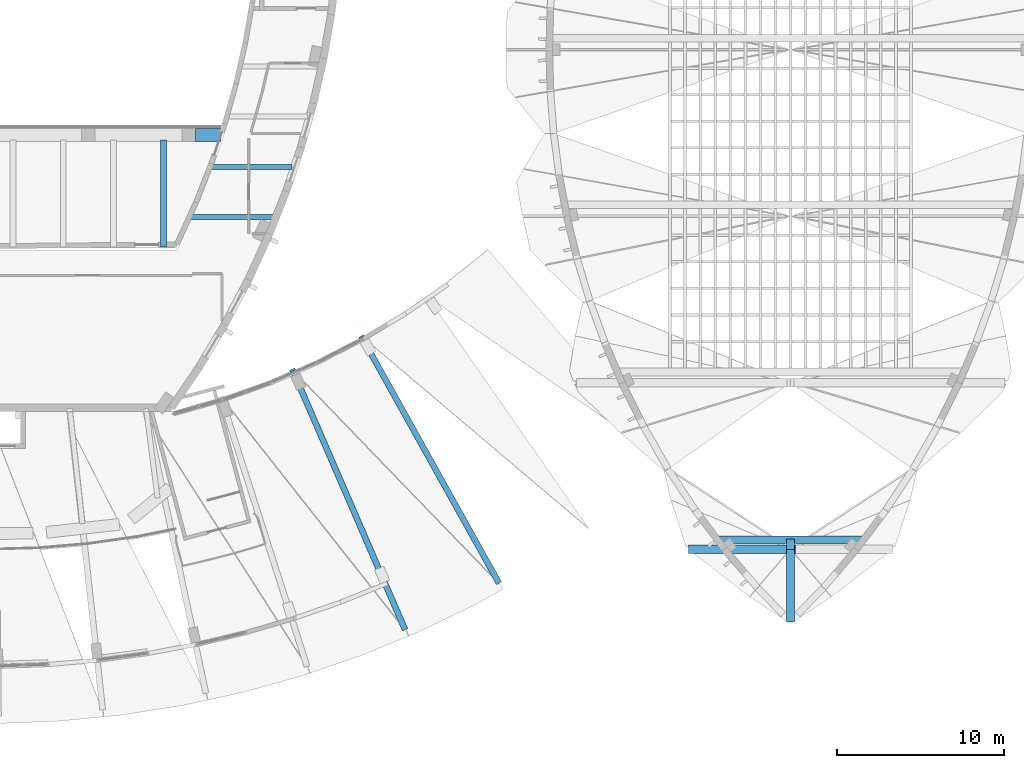
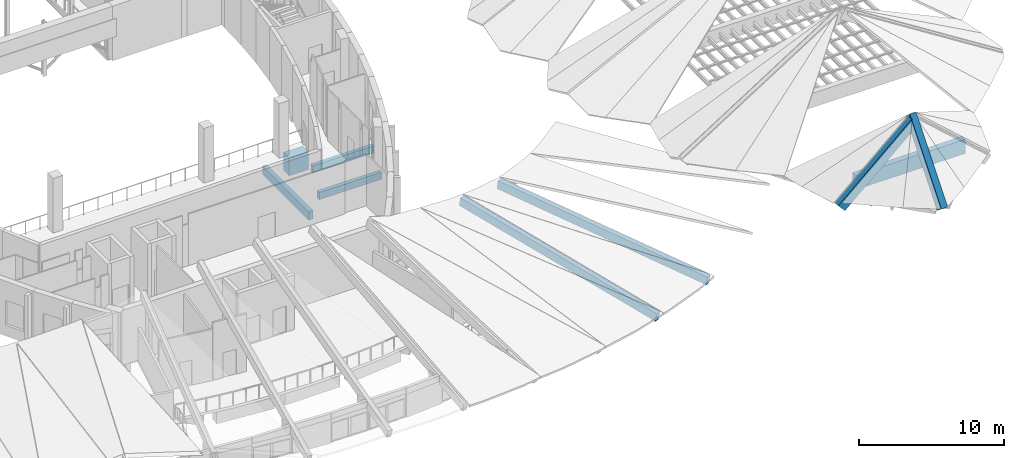
# One storey, part 16 of 56: 9 beams.
"""IFC4 building model written with IfcOpenShell, lengths in metres."""

from ifc_helpers import new_model, si_unit, direction, frame, origin, origin_2d, place, context, subcontext, project, spatial, rectangle, extrude, material, material_profile, profile_set, type_object, element, save


model = new_model("IFC4")

# Units and contexts
model_context = context("Model", 3, precision=1e-05, world=origin(), true_north=direction((0.0, 1.0)))
body_context = subcontext(model_context, "Body", "Model", "MODEL_VIEW")
ifc_project = project(units=[si_unit("LENGTHUNIT", "METRE"), si_unit("AREAUNIT", "SQUARE_METRE"), si_unit("VOLUMEUNIT", "CUBIC_METRE"), si_unit("PLANEANGLEUNIT", "RADIAN"), si_unit("MASSUNIT", "GRAM", prefix="KILO")], contexts=[model_context])

# Site, building, storey
site_placement = place(None, origin())
site = spatial("IfcSite", under=ifc_project, at=site_placement, CompositionType="ELEMENT")
building_placement = place(site_placement, origin())
building = spatial("IfcBuilding", under=site, at=building_placement, Name="Tide Square Theatres", CompositionType="ELEMENT")
storey_placement = place(building_placement, frame((0.0, 0.0, 10.199951171875)))
storey = spatial("IfcBuildingStorey", under=building, at=storey_placement, Name="L02", CompositionType="ELEMENT", Elevation=10.199951171875)

# Beams
ifc_material_1 = material(Name="Concrete C35", Category="concrete")
ifc_material_profile_1 = material_profile(ifc_material_1, rectangle(XDim=0.300048828125, YDim=0.60009765625, at=origin_2d()))
ifc_profile_set_1 = profile_set([ifc_material_profile_1], Name="Concrete C35")
beam_type_1 = type_object("IfcBeamType", Name="RC beam 300 x 600", PredefinedType="BEAM", material=ifc_profile_set_1)
beam_1_placement = place(storey_placement, frame((96.111328125, 35.0, -0.550048828125), z_axis=(1.0, 0.0, 0.0), x_axis=(0.0, 1.0, 0.0)))
element("IfcBeam", 1, at=beam_1_placement, inside=storey, type_object=beam_type_1, Name="Floor beam", PredefinedType="BEAM", context=body_context, shape_type="SweptSolid", body=[
    extrude(rectangle(XDim=0.300048828125, YDim=0.60009765625, at=origin_2d()), origin(), (0.0, 0.0, 1.0), 4.98095703125),
])
beam_2_placement = place(storey_placement, frame((97.345947265625, 38.0, -0.550048828125), z_axis=(1.0, 0.0, 0.0), x_axis=(0.0, 1.0, 0.0)))
element("IfcBeam", 2, at=beam_2_placement, inside=storey, type_object=beam_type_1, Name="Floor beam", PredefinedType="BEAM", context=body_context, shape_type="SweptSolid", body=[
    extrude(rectangle(XDim=0.300048828125, YDim=0.60009765625, at=origin_2d()), origin(), (0.0, 0.0, 1.0), 4.850341796875),
])
ifc_material_2 = material(Name="Concrete C35", Category="concrete")
ifc_material_profile_2 = material_profile(ifc_material_2, rectangle(XDim=0.35009765625, YDim=0.699951171875, at=origin_2d()))
ifc_profile_set_2 = profile_set([ifc_material_profile_2], Name="Concrete C35")
beam_type_2 = type_object("IfcBeamType", Name="RC beam 350 x 700", PredefinedType="BEAM", material=ifc_profile_set_2)
beam_3_placement = place(storey_placement, frame((94.5, 33.199951171875, -0.599853515625), z_axis=(0.0, 1.0, 0.0), x_axis=(-1.0, 0.0, 0.0)))
element("IfcBeam", 3, at=beam_3_placement, inside=storey, type_object=beam_type_2, Name="Tier raker beam", PredefinedType="BEAM", context=body_context, shape_type="SweptSolid", body=[
    extrude(rectangle(XDim=0.35009765625, YDim=0.699951171875, at=origin_2d()), origin(), (0.0, 0.0, 1.0), 6.400146484375),
])
ifc_material_3 = material(Name="Concrete C35", Category="concrete")
ifc_material_profile_3 = material_profile(ifc_material_3, rectangle(XDim=0.800048828125, YDim=1.5, at=origin_2d()))
ifc_profile_set_3 = profile_set([ifc_material_profile_3], Name="Concrete C35")
beam_type_3 = type_object("IfcBeamType", Name="RC circle girder 800 x 1500", PredefinedType="BEAM", material=ifc_profile_set_3)
beam_4_placement = place(storey_placement, frame((96.39990234375, 39.89990234375, -1.0), z_axis=(1.0, 0.0, 0.0), x_axis=(0.0, 1.0, 0.0)))
element("IfcBeam", 4, at=beam_4_placement, inside=storey, type_object=beam_type_3, Name="Circle front girder", PredefinedType="BEAM", context=body_context, shape_type="SweptSolid", body=[
    extrude(rectangle(XDim=0.800048828125, YDim=1.5, at=origin_2d()), origin(), (0.0, 0.0, 1.0), 1.52685546875),
])
ifc_material_4 = material(Name="Concrete C40", Category="concrete")
ifc_material_profile_4 = material_profile(ifc_material_4, rectangle(XDim=0.449951171875, YDim=1.199951171875, at=origin_2d()))
ifc_profile_set_4 = profile_set([ifc_material_profile_4], Name="Concrete C40")
beam_type_4 = type_object("IfcBeamType", Name="RC eaves tie beam 450 x 1200", PredefinedType="BEAM", material=ifc_profile_set_4)
beam_5_placement = place(storey_placement, frame((136.361572265625, 15.684814453125, 1.310546875), z_axis=(-1.0, 0.0, 0.0), x_axis=(0.0, -1.0, 0.0)))
element("IfcBeam", 5, at=beam_5_placement, inside=storey, type_object=beam_type_4, Name="Eaves tie beam blackbox 0", PredefinedType="BEAM", context=body_context, shape_type="SweptSolid", body=[
    extrude(rectangle(XDim=0.449951171875, YDim=1.199951171875, at=origin_2d()), origin(), (0.0, 0.0, 1.0), 8.72314453125),
])
ifc_material_5 = material(Name="Concrete C40", Category="concrete")
ifc_material_profile_5 = material_profile(ifc_material_5, rectangle(XDim=0.35009765625, YDim=0.699951171875, at=origin_2d()))
ifc_profile_set_5 = profile_set([ifc_material_profile_5], Name="Concrete C40")
beam_type_5 = type_object("IfcBeamType", Name="RC foyer roof rib 350 x 700", PredefinedType="BEAM", material=ifc_profile_set_5)
beam_6_placement = place(storey_placement, frame((102.218994140625, 25.849853515625, 2.412109375), z_axis=(0.392415201973, -0.905842705821, -0.159559711619), x_axis=(0.917598724561, 0.397507963044, 0.0)))
element("IfcBeam", 6, at=beam_6_placement, inside=storey, type_object=beam_type_5, Name="Foyer roof rib 11", PredefinedType="BEAM", context=body_context, shape_type="SweptSolid", body=[
    extrude(rectangle(XDim=0.35009765625, YDim=0.699951171875, at=origin_2d()), origin(), (0.0, 0.0, 1.0), 17.09423828125),
])
beam_7_placement = place(storey_placement, frame((106.347900390625, 27.84326171875, 1.18994140625), z_axis=(0.48328325511, -0.866993420344, -0.12148952387), x_axis=(0.873463413791, 0.486889787086, 0.0)))
element("IfcBeam", 7, at=beam_7_placement, inside=storey, type_object=beam_type_5, Name="Foyer roof rib 12", PredefinedType="BEAM", context=body_context, shape_type="SweptSolid", body=[
    extrude(rectangle(XDim=0.35009765625, YDim=0.699951171875, at=origin_2d()), origin(), (0.0, 0.0, 1.0), 16.976806640625),
])
ifc_material_6 = material(Name="Concrete C40", Category="concrete")
ifc_material_profile_6 = material_profile(ifc_material_6, rectangle(XDim=0.5, YDim=0.800048828125, at=origin_2d()))
ifc_profile_set_6 = profile_set([ifc_material_profile_6], Name="Concrete C40")
beam_type_6 = type_object("IfcBeamType", Name="RC roof rib 500 x 800", PredefinedType="BEAM", material=ifc_profile_set_6)
beam_8_placement = place(storey_placement, frame((126.177734375, 15.125, 0.022216796875), z_axis=(0.745301918978, 0.0, 0.666727117769), x_axis=(0.0, 1.0, 0.0)))
element("IfcBeam", 8, at=beam_8_placement, inside=storey, type_object=beam_type_6, Name="Roof rib blackbox L0", PredefinedType="BEAM", context=body_context, shape_type="SweptSolid", body=[
    extrude(rectangle(XDim=0.5, YDim=0.800048828125, at=origin_2d()), origin(), (0.0, 0.0, 1.0), 7.9013671875),
])
ifc_material_7 = material(Name="Concrete C40", Category="concrete")
ifc_material_profile_7 = material_profile(ifc_material_7, rectangle(XDim=0.5, YDim=0.800048828125, at=origin_2d()))
ifc_profile_set_7 = profile_set([ifc_material_profile_7], Name="Concrete C40")
beam_type_7 = type_object("IfcBeamType", Name="RC roof ridge beam 500 x 800", PredefinedType="BEAM", material=ifc_profile_set_7)
beam_9_placement = place(storey_placement, frame((132.0, 15.435302734375, 5.595458984375), z_axis=(0.0, -0.631561893264, -0.775325463903), x_axis=(1.0, 0.0, 0.0)))
element("IfcBeam", 9, at=beam_9_placement, inside=storey, type_object=beam_type_7, Name="Hip beam blackbox", PredefinedType="BEAM", context=body_context, shape_type="SweptSolid", body=[
    extrude(rectangle(XDim=0.5, YDim=0.800048828125, at=origin_2d()), origin(), (0.0, 0.0, 1.0), 6.89990234375),
])

save(model, "model.ifc")
